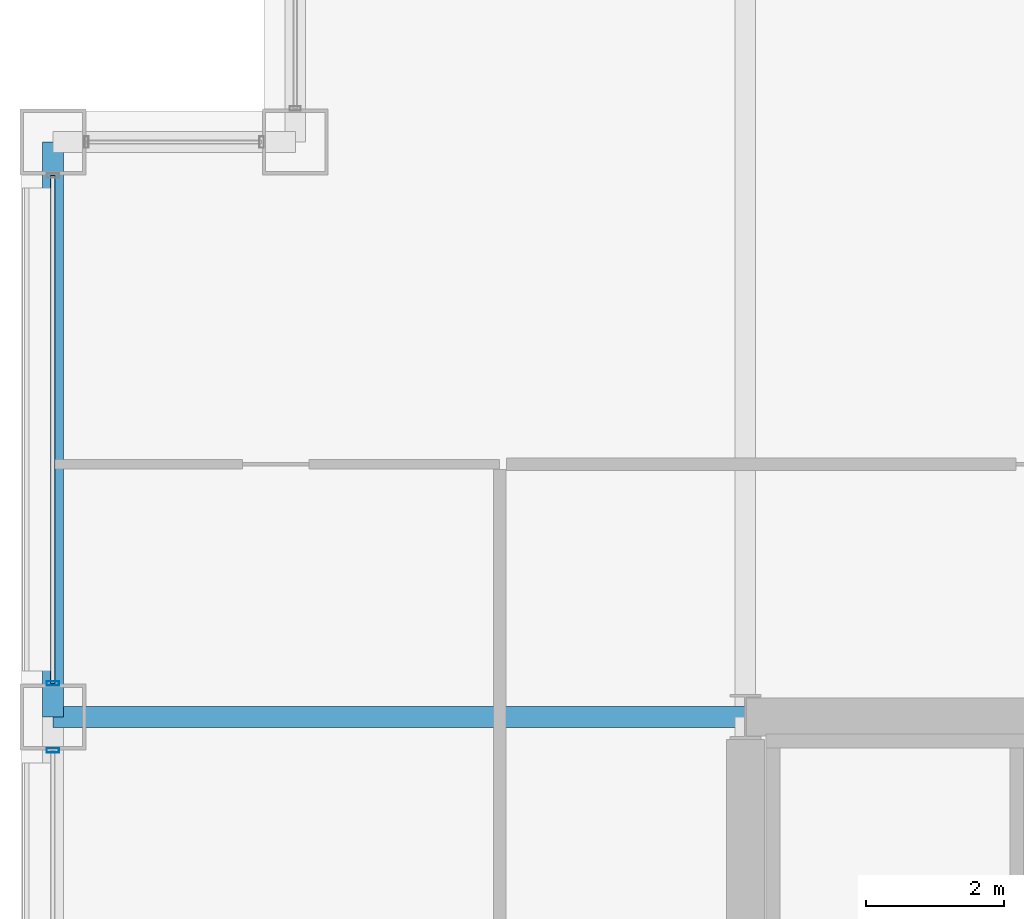
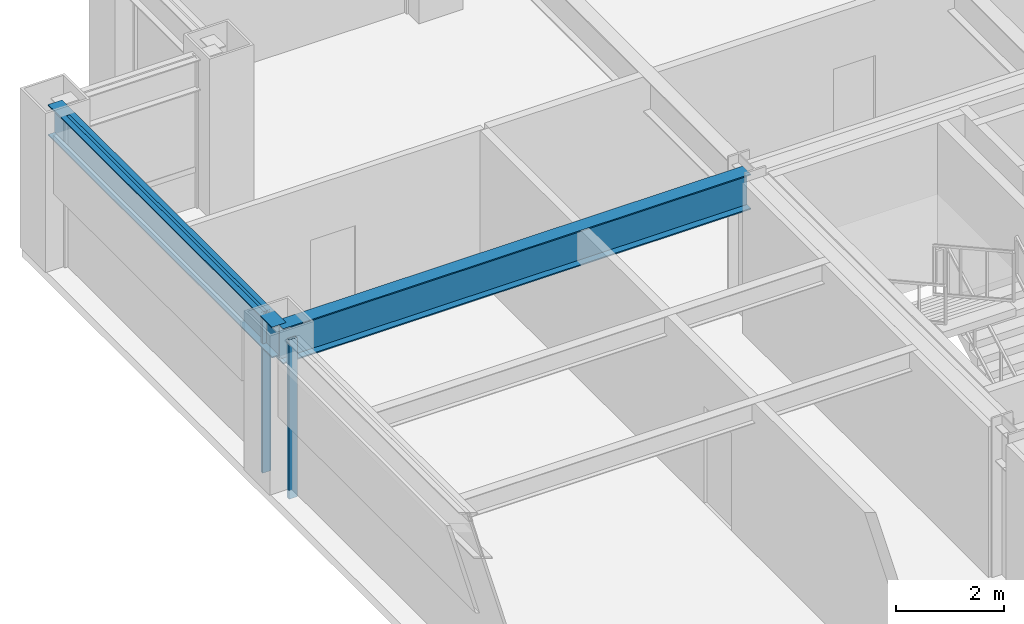
# One storey, part 14 of 31: 3 members, 2 beams, 2 elements without a shape of their own.
"""IFC4 building model written with IfcOpenShell, lengths in metres."""

from ifc_helpers import new_model, si_unit, direction, frame, origin, origin_2d, place, context, subcontext, project, spatial, hollow_rectangle, i_section, extrude, material, layer, layer_set, material_profile, profile_set, type_object, element, aggregate, save


model = new_model("IFC4")

# Units and contexts
model_context = context("Model", 3, precision=1e-05, world=origin(), true_north=direction((0.0, 1.0)))
body_context = subcontext(model_context, "Body", "Model", "MODEL_VIEW")
ifc_project = project(units=[si_unit("LENGTHUNIT", "METRE"), si_unit("AREAUNIT", "SQUARE_METRE"), si_unit("VOLUMEUNIT", "CUBIC_METRE"), si_unit("PLANEANGLEUNIT", "RADIAN"), si_unit("MASSUNIT", "GRAM", prefix="KILO")], contexts=[model_context])

# Site, building, storey
site_placement = place(None, origin())
site = spatial("IfcSite", under=ifc_project, at=site_placement, CompositionType="ELEMENT")
building_placement = place(site_placement, origin())
building = spatial("IfcBuilding", under=site, at=building_placement, Name="Brelmoor Portico Tower", CompositionType="ELEMENT")
storey_placement = place(building_placement, frame((0.0, 0.0, 42.0)))
storey = spatial("IfcBuildingStorey", under=building, at=storey_placement, Name="L10", CompositionType="ELEMENT", Elevation=42.0)

# Beams
ifc_material_1 = material(Name="Steel Q355B", Category="steel")
ifc_material_profile_1 = material_profile(ifc_material_1, i_section(OverallWidth=0.300048828125, OverallDepth=0.800048828125, WebThickness=0.013916015625, FlangeThickness=0.02587890625, at=origin_2d()), Name="HN 800x300x14x26")
ifc_profile_set_1 = profile_set([ifc_material_profile_1], Name="Steel Q355B")
beam_type_1 = type_object("IfcBeamType", Name="BM-PG-800", PredefinedType="BEAM", material=ifc_profile_set_1)
beam_1_placement = place(storey_placement, frame((-24.550048828125, 9.75, 3.0), z_axis=(1.0, 0.0, 0.0), x_axis=(0.0, 1.0, 0.0)))
element("IfcBeam", 1, at=beam_1_placement, inside=storey, type_object=beam_type_1, Name="L10 Primary Floor Girder PG-27", PredefinedType="BEAM", context=body_context, shape_type="SweptSolid", body=[
    extrude(i_section(OverallWidth=0.300048828125, OverallDepth=0.800048828125, WebThickness=0.013916015625, FlangeThickness=0.02587890625, at=origin_2d()), origin(), (0.0, 0.0, 1.0), 10.0),
])
ifc_material_profile_2 = material_profile(ifc_material_1, i_section(OverallWidth=0.300048828125, OverallDepth=0.699951171875, WebThickness=0.012939453125, FlangeThickness=0.02392578125, at=origin_2d()), Name="HN 700x300x13x24")
ifc_profile_set_2 = profile_set([ifc_material_profile_2], Name="Steel Q355B")
beam_type_2 = type_object("IfcBeamType", Name="BM-SP-700", PredefinedType="SPANDREL", material=ifc_profile_set_2)
beam_2_placement = place(storey_placement, frame((-24.550048828125, 9.75, 3.050048828125), z_axis=(0.0, 1.0, 0.0), x_axis=(-1.0, 0.0, 0.0)))
element("IfcBeam", 2, at=beam_2_placement, inside=storey, type_object=beam_type_2, Name="L10 Perimeter Spandrel Beam SP-17", PredefinedType="SPANDREL", context=body_context, shape_type="SweptSolid", body=[
    extrude(i_section(OverallWidth=0.300048828125, OverallDepth=0.699951171875, WebThickness=0.012939453125, FlangeThickness=0.02392578125, at=origin_2d()), origin(), (0.0, 0.0, 1.0), 8.300048828125),
])

# Curtain wall, member
ifc_material_2 = material(Name="Anodised Aluminium Alloy 6063-T6", Category="aluminium")
ifc_layer = layer(ifc_material_2, 0.179931640625)
ifc_layer_set = layer_set([ifc_layer], Name="Anodised Aluminium Alloy 6063-T6")
curtain_wall_type = type_object("IfcCurtainWallType", Name="CW-TOWER-Z1-XB", PredefinedType="NOTDEFINED", material=ifc_layer_set)
curtain_wall_1_placement = place(storey_placement, origin())
curtain_wall_1 = element("IfcCurtainWall", 3, at=curtain_wall_1_placement, inside=storey, type_object=curtain_wall_type, Name="L10 Curtain Wall CW-L10-03-2", PredefinedType="NOTDEFINED")
ifc_material_profile_3 = material_profile(ifc_material_2, hollow_rectangle(XDim=0.06494140625, YDim=0.179931640625, WallThickness=0.00390625, at=origin_2d()), Name="ALU MULLION 65x180")
ifc_profile_set_3 = profile_set([ifc_material_profile_3], Name="Anodised Aluminium Alloy 6063-T6")
member_type_1 = type_object("IfcMemberType", Name="MB-CW-MULL-180", PredefinedType="MULLION", material=ifc_profile_set_3)
member_1_placement = place(storey_placement, frame((-24.550048828125, 9.264892578125, -0.199951171875), z_axis=(0.0, 0.0, 1.0), x_axis=(0.0, 1.0, 0.0)))
member_1 = element("IfcMember", 4, at=member_1_placement, type_object=member_type_1, Name="CW-L10-03-2 Mullion 02", PredefinedType="MULLION", context=body_context, shape_type="SweptSolid", body=[
    extrude(hollow_rectangle(XDim=0.06494140625, YDim=0.179931640625, WallThickness=0.00390625, at=origin_2d()), origin(), (0.0, 0.0, 1.0), 3.599853515625),
])
aggregate(curtain_wall_1, [member_1])

# Curtain wall, members
curtain_wall_2_placement = place(storey_placement, origin())
curtain_wall_2 = element("IfcCurtainWall", 5, at=curtain_wall_2_placement, inside=storey, type_object=curtain_wall_type, Name="L10 Curtain Wall CW-L10-03-3", PredefinedType="NOTDEFINED")
member_2_placement = place(storey_placement, frame((-24.550048828125, 10.235107421875, -0.199951171875), z_axis=(0.0, 0.0, 1.0), x_axis=(0.0, 1.0, 0.0)))
member_2 = element("IfcMember", 6, at=member_2_placement, type_object=member_type_1, Name="CW-L10-03-3 Mullion 00", PredefinedType="MULLION", context=body_context, shape_type="SweptSolid", body=[
    extrude(hollow_rectangle(XDim=0.06494140625, YDim=0.179931640625, WallThickness=0.00390625, at=origin_2d()), origin(), (0.0, 0.0, 1.0), 3.599853515625),
])
ifc_material_profile_4 = material_profile(ifc_material_2, hollow_rectangle(XDim=0.06494140625, YDim=0.139892578125, WallThickness=0.00390625, at=origin_2d()), Name="ALU TRANSOM 65x140")
ifc_profile_set_4 = profile_set([ifc_material_profile_4], Name="Anodised Aluminium Alloy 6063-T6")
member_type_2 = type_object("IfcMemberType", Name="MB-CW-TRAN-140", PredefinedType="USERDEFINED", material=ifc_profile_set_4)
member_3_placement = place(storey_placement, frame((-24.550048828125, 10.235107421875, 3.330078125), z_axis=(0.0, 1.0, 0.0), x_axis=(-1.0, 0.0, 0.0)))
member_3 = element("IfcMember", 7, at=member_3_placement, type_object=member_type_2, Name="CW-L10-03-3 Transom 1-00", ObjectType="TRANSOM", PredefinedType="USERDEFINED", context=body_context, shape_type="SweptSolid", body=[
    extrude(hollow_rectangle(XDim=0.06494140625, YDim=0.139892578125, WallThickness=0.00390625, at=origin_2d()), origin(), (0.0, 0.0, 1.0), 7.329833984375),
])
aggregate(curtain_wall_2, [member_2, member_3])

save(model, "model.ifc")
